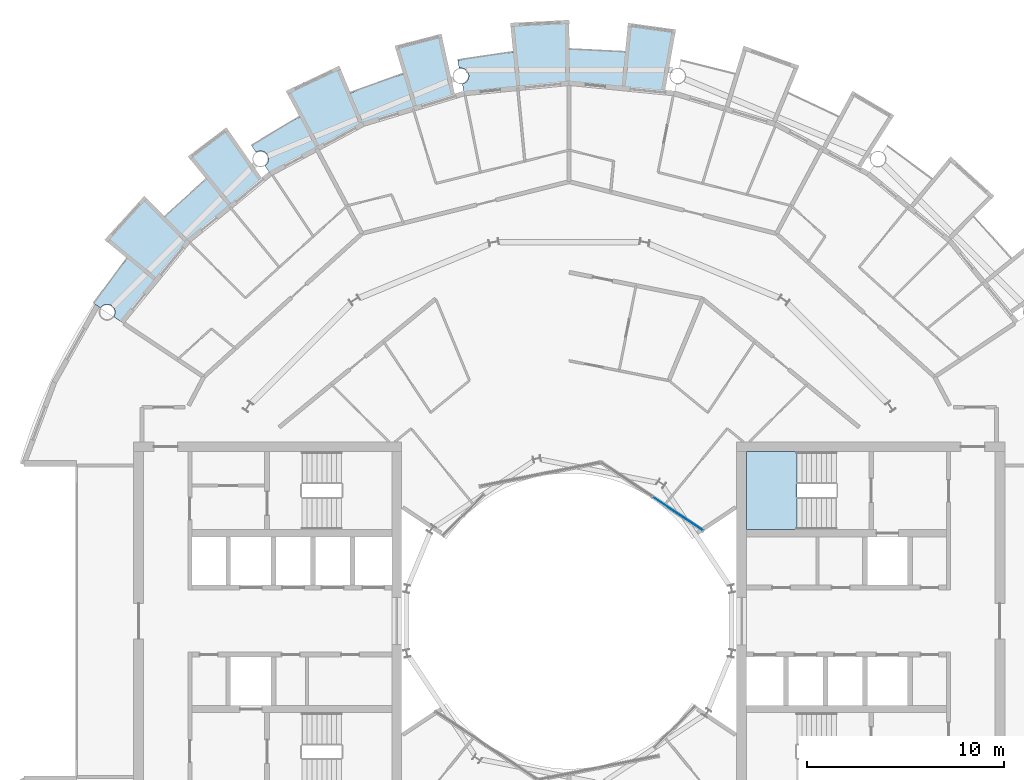
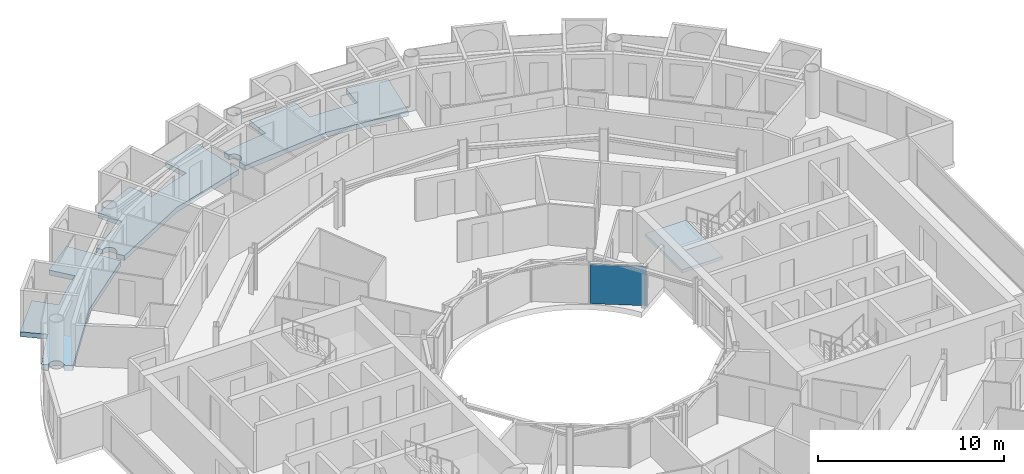
# One storey, part 12 of 27: 4 slabs, 1 plate, 2 elements without a shape of their own.
"""IFC4 building model written with IfcOpenShell, lengths in metres."""

from ifc_helpers import new_model, si_unit, direction, frame, origin, origin_2d, place, context, subcontext, project, spatial, polyline, rectangle, outline, extrude, material, layer, layer_set, type_object, element, aggregate, save


model = new_model("IFC4")

# Units and contexts
model_context = context("Model", 3, precision=1e-05, world=origin(), true_north=direction((0.0, 1.0)))
body_context = subcontext(model_context, "Body", "Model", "MODEL_VIEW")
ifc_project = project(units=[si_unit("LENGTHUNIT", "METRE"), si_unit("AREAUNIT", "SQUARE_METRE"), si_unit("VOLUMEUNIT", "CUBIC_METRE"), si_unit("PLANEANGLEUNIT", "RADIAN"), si_unit("MASSUNIT", "GRAM", prefix="KILO")], contexts=[model_context])

# Site, building, storey
site_placement = place(None, origin())
site = spatial("IfcSite", under=ifc_project, at=site_placement, CompositionType="ELEMENT")
building_placement = place(site_placement, origin())
building = spatial("IfcBuilding", under=site, at=building_placement, Name="Maasbend Ring Residences", CompositionType="ELEMENT")
storey_placement = place(building_placement, frame((0.0, 0.0, 164.64990234375)))
storey = spatial("IfcBuildingStorey", under=building, at=storey_placement, Name="L47", CompositionType="ELEMENT", Elevation=164.64990234375)

# Stair, slab
ifc_material_1 = material(Name="Concrete C40/50", Category="concrete")
stair_type = type_object("IfcStairType", Name="CORE STAIR 18 RISERS", PredefinedType="HALF_TURN_STAIR", material=ifc_material_1)
stair_placement = place(storey_placement, origin())
stair = element("IfcStair", 1, at=stair_placement, inside=storey, type_object=stair_type, Name="L47 Exit stair ST-E1", PredefinedType="HALF_TURN_STAIR")
ifc_material_2 = material(Name="Concrete C40/50", Category="concrete")
ifc_layer_1 = layer(ifc_material_2, 0.199951171875)
ifc_layer_set_1 = layer_set([ifc_layer_1], Name="Concrete C40/50")
slab_type_1 = type_object("IfcSlabType", Name="CORE STAIR LANDING 200", PredefinedType="LANDING", material=ifc_layer_set_1)
slab_1_placement = place(storey_placement, frame((0.0, 0.0, 1.3251953125)))
slab_1 = element("IfcSlab", 2, at=slab_1_placement, type_object=slab_type_1, Name="ST-E1 landing 1", PredefinedType="LANDING", context=body_context, shape_type="SweptSolid", body=[
    extrude(outline(polyline([(11.550048828125, 8.60009765625), (9.0, 8.60009765625), (9.0, 4.64990234375), (11.550048828125, 4.64990234375), (11.550048828125, 8.60009765625)])), origin(), (0.0, 0.0, 1.0), 0.199951171875),
])
aggregate(stair, [slab_1])

# Curtain wall, plate
ifc_material_3 = material(Name="Aluminium and clear glass", Category="aluminium")
ifc_layer_2 = layer(ifc_material_3, 0.179931640625)
ifc_layer_set_2 = layer_set([ifc_layer_2], Name="CW-W")
curtain_wall_type = type_object("IfcCurtainWallType", Name="CW-W", PredefinedType="NOTDEFINED", material=ifc_layer_set_2)
curtain_wall_placement = place(storey_placement, origin())
curtain_wall = element("IfcCurtainWall", 3, at=curtain_wall_placement, inside=storey, type_object=curtain_wall_type, Name="Well curtain wall N1", PredefinedType="NOTDEFINED")
ifc_material_4 = material(Name="Glass clear laminated", Category="glass")
ifc_layer_3 = layer(ifc_material_4, 0.031982421875)
ifc_layer_set_3 = layer_set([ifc_layer_3], Name="CWP-W")
plate_type = type_object("IfcPlateType", Name="CWP-W", PredefinedType="CURTAIN_PANEL", material=ifc_layer_set_3)
plate_placement = place(storey_placement, frame((5.51123046875, 5.44580078125, 0.0), z_axis=(0.0, 0.0, 1.0), x_axis=(-0.831469612303, 0.55557023302, 0.0)))
plate = element("IfcPlate", 4, at=plate_placement, type_object=plate_type, Name="Glass panel well face", PredefinedType="CURTAIN_PANEL", context=body_context, shape_type="SweptSolid", body=[
    extrude(rectangle(XDim=3.053955078125, YDim=0.031982421875, at=origin_2d()), origin(), (0.0, 0.0, 1.0), 2.580078125),
])
aggregate(curtain_wall, [plate])

# Slabs
ifc_material_5 = material(Name="Concrete C40/50", Category="concrete")
ifc_layer_4 = layer(ifc_material_5, 0.199951171875)
ifc_layer_set_4 = layer_set([ifc_layer_4], Name="Concrete C40/50")
slab_type_2 = type_object("IfcSlabType", Name="SL-LOGGIA", PredefinedType="FLOOR", material=ifc_layer_set_4)
slab_2_placement = place(storey_placement, frame((0.0, 0.0, -0.349853515625)))
element("IfcSlab", 5, at=slab_2_placement, inside=storey, type_object=slab_type_2, Name="Loggia floor 1", PredefinedType="FLOOR", context=body_context, shape_type="SweptSolid", body=[
    extrude(outline(polyline([(-14.5, 25.114990234375), (-13.6708984375, 25.574951171875), (-13.6708984375, 25.575927734375), (-13.6708984375, 25.575927734375), (-13.6708984375, 25.575927734375), (-13.6708984375, 25.575927734375), (-13.6708984375, 25.575927734375), (-13.6708984375, 25.575927734375), (-13.6708984375, 25.575927734375), (-13.6708984375, 25.575927734375), (-13.6708984375, 25.575927734375), (-13.6708984375, 25.575927734375), (-13.6708984375, 25.575927734375), (-13.6708984375, 25.575927734375), (-13.6708984375, 25.575927734375), (-13.6708984375, 25.575927734375), (-13.6708984375, 25.575927734375), (-13.6708984375, 25.575927734375), (-14.3779296875, 26.89892578125), (-14.3779296875, 26.89892578125), (-14.3779296875, 26.89892578125), (-11.672119140625, 28.177978515625), (-11.672119140625, 28.177978515625), (-11.672119140625, 28.177978515625), (-11.097900390625, 26.79296875), (-11.097900390625, 26.79296875), (-11.097900390625, 26.79296875), (-11.097900390625, 26.79296875), (-11.097900390625, 26.79296875), (-11.097900390625, 26.79296875), (-11.097900390625, 26.79296875), (-11.097900390625, 26.79296875), (-11.097900390625, 26.79296875), (-11.097900390625, 26.79296875), (-11.097900390625, 26.79296875), (-11.097900390625, 26.79296875), (-11.097900390625, 26.79296875), (-11.097900390625, 26.79296875), (-11.096923828125, 26.79296875), (-11.096923828125, 26.79296875), (-11.096923828125, 26.79296875), (-10.215087890625, 27.14111328125), (-10.215087890625, 27.14111328125), (-9.322021484375, 27.4609375), (-9.322021484375, 27.4609375), (-8.4189453125, 27.7509765625), (-8.4189453125, 27.7509765625), (-8.4189453125, 27.7509765625), (-8.4189453125, 27.7509765625), (-8.4189453125, 27.7509765625), (-8.4189453125, 27.7509765625), (-8.41796875, 27.7509765625), (-8.41796875, 27.7509765625), (-8.41796875, 27.7509765625), (-8.41796875, 27.7509765625), (-8.41796875, 27.7509765625), (-8.41796875, 27.751953125), (-8.41796875, 27.751953125), (-8.41796875, 27.751953125), (-8.41796875, 27.751953125), (-8.41796875, 27.751953125), (-8.41796875, 27.751953125), (-8.85400390625, 29.18701171875), (-8.85400390625, 29.18701171875), (-8.85400390625, 29.18701171875), (-6.487060546875, 29.802001953125), (-6.487060546875, 29.802001953125), (-6.487060546875, 29.802001953125), (-5.797119140625, 26.633056640625), (-5.797119140625, 26.633056640625), (-5.797119140625, 26.633056640625), (-7.886962890625, 25.9990234375), (-10.447021484375, 25.221923828125), (-10.447021484375, 25.221923828125), (-10.447021484375, 25.221923828125), (-12.806884765625, 23.9609375), (-15.1669921875, 22.698974609375), (-15.1669921875, 22.698974609375), (-15.1669921875, 22.698974609375), (-15.44091796875, 23.10888671875), (-15.43310546875, 23.114990234375), (-15.425048828125, 23.12109375), (-15.4169921875, 23.126953125), (-15.408935546875, 23.133056640625), (-15.402099609375, 23.139892578125), (-15.39404296875, 23.14599609375), (-15.386962890625, 23.153076171875), (-15.3798828125, 23.159912109375), (-15.373046875, 23.1669921875), (-15.365966796875, 23.174072265625), (-15.35888671875, 23.181884765625), (-15.35302734375, 23.18994140625), (-15.346923828125, 23.197021484375), (-15.341064453125, 23.205078125), (-15.3349609375, 23.212890625), (-15.3291015625, 23.221923828125), (-15.323974609375, 23.22998046875), (-15.318115234375, 23.238037109375), (-15.31298828125, 23.2470703125), (-15.30908203125, 23.256103515625), (-15.303955078125, 23.264892578125), (-15.300048828125, 23.27392578125), (-15.294921875, 23.282958984375), (-15.2919921875, 23.2919921875), (-15.2880859375, 23.301025390625), (-15.283935546875, 23.31005859375), (-15.281005859375, 23.320068359375), (-15.278076171875, 23.3291015625), (-15.27490234375, 23.339111328125), (-15.27294921875, 23.34912109375), (-15.27001953125, 23.35791015625), (-15.26806640625, 23.367919921875), (-15.26708984375, 23.3779296875), (-15.264892578125, 23.387939453125), (-15.263916015625, 23.39794921875), (-15.262939453125, 23.407958984375), (-15.261962890625, 23.4169921875), (-15.260986328125, 23.427001953125), (-15.260986328125, 23.43701171875), (-15.260986328125, 23.447021484375), (-15.260986328125, 23.45703125), (-15.260986328125, 23.467041015625), (-15.261962890625, 23.47705078125), (-15.262939453125, 23.487060546875), (-15.263916015625, 23.4970703125), (-15.264892578125, 23.507080078125), (-15.26708984375, 23.51708984375), (-15.26806640625, 23.527099609375), (-15.27001953125, 23.535888671875), (-15.27294921875, 23.5458984375), (-15.27490234375, 23.555908203125), (-15.278076171875, 23.56494140625), (-15.281005859375, 23.574951171875), (-15.283935546875, 23.583984375), (-15.2880859375, 23.593994140625), (-15.2919921875, 23.60302734375), (-15.294921875, 23.612060546875), (-15.300048828125, 23.62109375), (-15.303955078125, 23.6298828125), (-15.30908203125, 23.638916015625), (-15.31298828125, 23.64794921875), (-15.318115234375, 23.656005859375), (-15.323974609375, 23.6650390625), (-15.3291015625, 23.673095703125), (-15.3349609375, 23.680908203125), (-15.341064453125, 23.68994140625), (-15.346923828125, 23.697021484375), (-15.35302734375, 23.705078125), (-15.35888671875, 23.712890625), (-15.365966796875, 23.719970703125), (-15.373046875, 23.72802734375), (-15.3798828125, 23.735107421875), (-15.386962890625, 23.741943359375), (-15.39404296875, 23.7490234375), (-15.402099609375, 23.7548828125), (-15.408935546875, 23.761962890625), (-15.4169921875, 23.76806640625), (-15.425048828125, 23.77392578125), (-15.43310546875, 23.780029296875), (-15.44091796875, 23.784912109375), (-15.449951171875, 23.791015625), (-15.4580078125, 23.7958984375), (-15.467041015625, 23.801025390625), (-15.47509765625, 23.805908203125), (-15.48388671875, 23.81005859375), (-15.492919921875, 23.81494140625), (-15.501953125, 23.819091796875), (-15.511962890625, 23.822998046875), (-15.52099609375, 23.826904296875), (-15.530029296875, 23.830078125), (-15.5400390625, 23.8330078125), (-15.549072265625, 23.8359375), (-15.55908203125, 23.839111328125), (-15.568115234375, 23.842041015625), (-15.577880859375, 23.843994140625), (-15.587890625, 23.845947265625), (-15.597900390625, 23.847900390625), (-15.60693359375, 23.85009765625), (-15.616943359375, 23.85107421875), (-15.626953125, 23.85205078125), (-15.636962890625, 23.85302734375), (-15.64697265625, 23.85302734375), (-15.656982421875, 23.85400390625), (-15.6669921875, 23.85400390625), (-15.677001953125, 23.85400390625), (-15.68701171875, 23.85302734375), (-15.697021484375, 23.85302734375), (-15.70703125, 23.85205078125), (-15.717041015625, 23.85107421875), (-15.72705078125, 23.85009765625), (-15.737060546875, 23.847900390625), (-15.74609375, 23.845947265625), (-15.756103515625, 23.843994140625), (-15.76611328125, 23.842041015625), (-15.77587890625, 23.839111328125), (-15.784912109375, 23.8359375), (-15.794921875, 23.8330078125), (-15.803955078125, 23.830078125), (-15.81298828125, 23.826904296875), (-15.822998046875, 23.822998046875), (-15.83203125, 23.819091796875), (-15.841064453125, 23.81494140625), (-15.85009765625, 23.81005859375), (-15.85888671875, 23.805908203125), (-15.866943359375, 23.801025390625), (-15.8759765625, 23.7958984375), (-15.885009765625, 23.791015625), (-15.89306640625, 23.784912109375), (-16.112060546875, 24.113037109375), (-16.112060546875, 24.113037109375), (-16.112060546875, 24.113037109375), (-15.31396484375, 24.626953125), (-15.31396484375, 24.626953125), (-14.5, 25.114990234375), (-14.5, 25.114990234375)])), origin(), (0.0, 0.0, 1.0), 0.320068359375),
])
slab_3_placement = place(storey_placement, frame((0.0, 0.0, -0.349853515625)))
element("IfcSlab", 6, at=slab_3_placement, inside=storey, type_object=slab_type_2, Name="Loggia floor 3", PredefinedType="FLOOR", context=body_context, shape_type="SweptSolid", body=[
    extrude(outline(polyline([(-3.784912109375, 28.751953125), (-2.843017578125, 28.860107421875), (-2.843017578125, 28.860107421875), (-2.843017578125, 28.860107421875), (-2.843017578125, 28.860107421875), (-2.843017578125, 28.860107421875), (-2.843017578125, 28.860107421875), (-2.843017578125, 28.860107421875), (-2.843017578125, 28.860107421875), (-2.843017578125, 28.860107421875), (-2.843017578125, 28.861083984375), (-2.843017578125, 28.861083984375), (-2.843017578125, 28.861083984375), (-2.843017578125, 28.861083984375), (-2.843017578125, 28.861083984375), (-2.843017578125, 28.861083984375), (-2.843017578125, 28.861083984375), (-2.843017578125, 28.861083984375), (-2.989990234375, 30.35302734375), (-2.989990234375, 30.35302734375), (-2.989990234375, 30.35302734375), (0.0, 30.5), (0.0, 30.5), (0.0, 30.5), (0.0, 29.0), (0.0, 29.0), (0.0, 29.0), (0.0, 29.0), (0.0, 29.0), (0.0, 29.0), (0.0, 29.0), (0.0, 29.0), (0.0, 29.0), (0.0, 29.0), (0.0, 29.0), (0.0, 29.0), (0.0, 29.0), (0.0, 29.0), (0.0, 29.0), (0.0, 29.0), (0.0, 29.0), (0.948974609375, 28.98388671875), (0.948974609375, 28.98388671875), (1.89697265625, 28.93798828125), (1.89697265625, 28.93798828125), (2.842041015625, 28.860107421875), (2.842041015625, 28.860107421875), (2.842041015625, 28.860107421875), (2.842041015625, 28.860107421875), (2.842041015625, 28.860107421875), (2.842041015625, 28.860107421875), (2.842041015625, 28.860107421875), (2.842041015625, 28.860107421875), (2.842041015625, 28.861083984375), (2.842041015625, 28.861083984375), (2.842041015625, 28.861083984375), (2.842041015625, 28.861083984375), (2.842041015625, 28.861083984375), (2.843017578125, 28.861083984375), (2.843017578125, 28.861083984375), (2.843017578125, 28.861083984375), (2.843017578125, 28.861083984375), (2.989990234375, 30.35302734375), (2.989990234375, 30.35302734375), (2.989990234375, 30.35302734375), (5.412109375, 30.01611328125), (5.412109375, 30.01611328125), (5.412109375, 30.01611328125), (4.8359375, 26.823974609375), (4.8359375, 26.823974609375), (4.8359375, 26.823974609375), (2.6630859375, 27.0380859375), (0.0, 27.300048828125), (0.0, 27.300048828125), (0.0, 27.300048828125), (-2.6630859375, 27.0380859375), (-5.325927734375, 26.77490234375), (-5.325927734375, 26.77490234375), (-5.325927734375, 26.77490234375), (-5.422119140625, 27.259033203125), (-5.422119140625, 27.259033203125), (-5.412109375, 27.260986328125), (-5.403076171875, 27.263916015625), (-5.39306640625, 27.26611328125), (-5.383056640625, 27.26904296875), (-5.3740234375, 27.27197265625), (-5.364990234375, 27.27490234375), (-5.35498046875, 27.279052734375), (-5.345947265625, 27.282958984375), (-5.3369140625, 27.285888671875), (-5.327880859375, 27.291015625), (-5.319091796875, 27.294921875), (-5.31005859375, 27.300048828125), (-5.301025390625, 27.303955078125), (-5.29296875, 27.30908203125), (-5.283935546875, 27.31494140625), (-5.27587890625, 27.320068359375), (-5.26708984375, 27.325927734375), (-5.259033203125, 27.33203125), (-5.2509765625, 27.337890625), (-5.243896484375, 27.343994140625), (-5.236083984375, 27.35009765625), (-5.22900390625, 27.35693359375), (-5.220947265625, 27.364013671875), (-5.214111328125, 27.37109375), (-5.20703125, 27.3779296875), (-5.199951171875, 27.385009765625), (-5.194091796875, 27.39306640625), (-5.18701171875, 27.39990234375), (-5.180908203125, 27.407958984375), (-5.175048828125, 27.416015625), (-5.1689453125, 27.424072265625), (-5.1640625, 27.431884765625), (-5.157958984375, 27.44091796875), (-5.153076171875, 27.448974609375), (-5.14794921875, 27.4580078125), (-5.14306640625, 27.466064453125), (-5.137939453125, 27.47509765625), (-5.134033203125, 27.48388671875), (-5.1298828125, 27.492919921875), (-5.1259765625, 27.5029296875), (-5.1220703125, 27.511962890625), (-5.118896484375, 27.52099609375), (-5.115966796875, 27.531005859375), (-5.113037109375, 27.5400390625), (-5.110107421875, 27.550048828125), (-5.10693359375, 27.55908203125), (-5.10498046875, 27.569091796875), (-5.10302734375, 27.5791015625), (-5.10107421875, 27.589111328125), (-5.09912109375, 27.597900390625), (-5.097900390625, 27.60791015625), (-5.096923828125, 27.617919921875), (-5.095947265625, 27.6279296875), (-5.094970703125, 27.637939453125), (-5.094970703125, 27.64794921875), (-5.094970703125, 27.657958984375), (-5.094970703125, 27.66796875), (-5.094970703125, 27.677978515625), (-5.095947265625, 27.68798828125), (-5.096923828125, 27.697998046875), (-5.097900390625, 27.7080078125), (-5.09912109375, 27.718017578125), (-5.10107421875, 27.72802734375), (-5.10302734375, 27.737060546875), (-5.10498046875, 27.7470703125), (-5.10693359375, 27.757080078125), (-5.110107421875, 27.76708984375), (-5.113037109375, 27.77587890625), (-5.115966796875, 27.785888671875), (-5.118896484375, 27.794921875), (-5.1220703125, 27.803955078125), (-5.1259765625, 27.81396484375), (-5.1298828125, 27.822998046875), (-5.134033203125, 27.83203125), (-5.137939453125, 27.841064453125), (-5.14306640625, 27.85009765625), (-5.14794921875, 27.85791015625), (-5.153076171875, 27.866943359375), (-5.157958984375, 27.8759765625), (-5.1640625, 27.884033203125), (-5.1689453125, 27.89208984375), (-5.175048828125, 27.89990234375), (-5.180908203125, 27.907958984375), (-5.18701171875, 27.916015625), (-5.194091796875, 27.924072265625), (-5.199951171875, 27.930908203125), (-5.20703125, 27.93798828125), (-5.214111328125, 27.946044921875), (-5.220947265625, 27.952880859375), (-5.22900390625, 27.958984375), (-5.236083984375, 27.966064453125), (-5.243896484375, 27.971923828125), (-5.2509765625, 27.97900390625), (-5.259033203125, 27.985107421875), (-5.26708984375, 27.989990234375), (-5.27587890625, 27.99609375), (-5.283935546875, 28.001953125), (-5.29296875, 28.007080078125), (-5.301025390625, 28.011962890625), (-5.31005859375, 28.01708984375), (-5.319091796875, 28.02099609375), (-5.327880859375, 28.02587890625), (-5.3369140625, 28.030029296875), (-5.345947265625, 28.033935546875), (-5.35498046875, 28.037109375), (-5.364990234375, 28.041015625), (-5.3740234375, 28.0439453125), (-5.383056640625, 28.047119140625), (-5.39306640625, 28.050048828125), (-5.403076171875, 28.052001953125), (-5.412109375, 28.054931640625), (-5.422119140625, 28.056884765625), (-5.431884765625, 28.05908203125), (-5.44189453125, 28.06005859375), (-5.451904296875, 28.06201171875), (-5.4619140625, 28.06298828125), (-5.471923828125, 28.06298828125), (-5.48193359375, 28.06396484375), (-5.491943359375, 28.06396484375), (-5.501953125, 28.06494140625), (-5.510986328125, 28.06396484375), (-5.52099609375, 28.06396484375), (-5.531005859375, 28.06298828125), (-5.541015625, 28.06298828125), (-5.551025390625, 28.06201171875), (-5.56103515625, 28.06005859375), (-5.571044921875, 28.05908203125), (-5.5810546875, 28.056884765625), (-5.5810546875, 28.056884765625), (-5.657958984375, 28.443115234375), (-5.657958984375, 28.443115234375), (-5.657958984375, 28.443115234375), (-4.72412109375, 28.613037109375), (-4.72412109375, 28.613037109375), (-3.784912109375, 28.751953125), (-3.784912109375, 28.751953125)])), origin(), (0.0, 0.0, 1.0), 0.320068359375),
])
slab_4_placement = place(storey_placement, frame((0.0, 0.0, -0.349853515625)))
element("IfcSlab", 7, at=slab_4_placement, inside=storey, type_object=slab_type_2, Name="Loggia floor 4", PredefinedType="FLOOR", context=body_context, shape_type="SweptSolid", body=[
    extrude(outline(polyline([(-23.007080078125, 17.654052734375), (-22.41796875, 18.39697265625), (-22.41796875, 18.39697265625), (-22.41796875, 18.39697265625), (-22.41796875, 18.39697265625), (-22.41796875, 18.39697265625), (-22.41796875, 18.39697265625), (-22.41796875, 18.39697265625), (-22.41796875, 18.39697265625), (-22.41796875, 18.39697265625), (-22.41796875, 18.39697265625), (-22.41796875, 18.39697265625), (-22.41796875, 18.39794921875), (-22.41796875, 18.39794921875), (-22.41796875, 18.39794921875), (-22.41796875, 18.39794921875), (-22.41796875, 18.39794921875), (-22.41796875, 18.39794921875), (-23.576904296875, 19.34912109375), (-23.576904296875, 19.34912109375), (-23.576904296875, 19.34912109375), (-21.56689453125, 21.56689453125), (-21.56689453125, 21.56689453125), (-21.56689453125, 21.56689453125), (-20.506103515625, 20.506103515625), (-20.506103515625, 20.506103515625), (-20.506103515625, 20.506103515625), (-20.506103515625, 20.506103515625), (-20.506103515625, 20.506103515625), (-20.506103515625, 20.506103515625), (-20.506103515625, 20.506103515625), (-20.506103515625, 20.506103515625), (-20.506103515625, 20.506103515625), (-20.506103515625, 20.506103515625), (-20.506103515625, 20.506103515625), (-20.506103515625, 20.506103515625), (-20.506103515625, 20.506103515625), (-20.506103515625, 20.506103515625), (-20.506103515625, 20.506103515625), (-20.506103515625, 20.506103515625), (-20.506103515625, 20.506103515625), (-19.823974609375, 21.166015625), (-19.823974609375, 21.166015625), (-19.12109375, 21.802978515625), (-19.12109375, 21.802978515625), (-18.39794921875, 22.4169921875), (-18.39794921875, 22.4169921875), (-18.39794921875, 22.4169921875), (-18.39794921875, 22.4169921875), (-18.39794921875, 22.4169921875), (-18.39794921875, 22.4169921875), (-18.39794921875, 22.4169921875), (-18.39794921875, 22.4169921875), (-18.39794921875, 22.4169921875), (-18.39794921875, 22.4169921875), (-18.39794921875, 22.4169921875), (-18.39794921875, 22.4169921875), (-18.39794921875, 22.41796875), (-18.39794921875, 22.41796875), (-18.39794921875, 22.41796875), (-18.39794921875, 22.41796875), (-18.39794921875, 22.41796875), (-19.34912109375, 23.576904296875), (-19.34912109375, 23.576904296875), (-19.34912109375, 23.576904296875), (-17.39794921875, 25.051025390625), (-17.39794921875, 25.051025390625), (-17.39794921875, 25.051025390625), (-15.547119140625, 22.386962890625), (-15.547119140625, 22.386962890625), (-15.547119140625, 22.386962890625), (-17.236083984375, 21.001953125), (-19.303955078125, 19.303955078125), (-19.303955078125, 19.303955078125), (-19.303955078125, 19.303955078125), (-21.001953125, 17.236083984375), (-22.698974609375, 15.1669921875), (-22.698974609375, 15.1669921875), (-22.698974609375, 15.1669921875), (-23.10888671875, 15.44091796875), (-23.10888671875, 15.44091796875), (-23.10400390625, 15.449951171875), (-23.09912109375, 15.4580078125), (-23.093994140625, 15.467041015625), (-23.089111328125, 15.47509765625), (-23.083984375, 15.48388671875), (-23.080078125, 15.492919921875), (-23.075927734375, 15.501953125), (-23.072021484375, 15.511962890625), (-23.068115234375, 15.52099609375), (-23.06494140625, 15.530029296875), (-23.06103515625, 15.5400390625), (-23.05810546875, 15.549072265625), (-23.055908203125, 15.55908203125), (-23.052978515625, 15.568115234375), (-23.051025390625, 15.577880859375), (-23.049072265625, 15.587890625), (-23.047119140625, 15.597900390625), (-23.044921875, 15.60693359375), (-23.0439453125, 15.616943359375), (-23.04296875, 15.626953125), (-23.0419921875, 15.636962890625), (-23.041015625, 15.64697265625), (-23.041015625, 15.656982421875), (-23.041015625, 15.6669921875), (-23.041015625, 15.677001953125), (-23.041015625, 15.68701171875), (-23.0419921875, 15.697021484375), (-23.04296875, 15.70703125), (-23.0439453125, 15.717041015625), (-23.044921875, 15.72705078125), (-23.047119140625, 15.737060546875), (-23.049072265625, 15.74609375), (-23.051025390625, 15.756103515625), (-23.052978515625, 15.76611328125), (-23.055908203125, 15.77587890625), (-23.05810546875, 15.784912109375), (-23.06103515625, 15.794921875), (-23.06494140625, 15.803955078125), (-23.068115234375, 15.81298828125), (-23.072021484375, 15.822998046875), (-23.075927734375, 15.83203125), (-23.080078125, 15.841064453125), (-23.083984375, 15.85009765625), (-23.089111328125, 15.85888671875), (-23.093994140625, 15.866943359375), (-23.09912109375, 15.8759765625), (-23.10400390625, 15.885009765625), (-23.10888671875, 15.89306640625), (-23.114990234375, 15.90087890625), (-23.12109375, 15.908935546875), (-23.126953125, 15.9169921875), (-23.133056640625, 15.925048828125), (-23.139892578125, 15.93310546875), (-23.14599609375, 15.93994140625), (-23.153076171875, 15.947021484375), (-23.159912109375, 15.955078125), (-23.1669921875, 15.9619140625), (-23.174072265625, 15.968017578125), (-23.181884765625, 15.97509765625), (-23.18994140625, 15.98095703125), (-23.197021484375, 15.988037109375), (-23.205078125, 15.993896484375), (-23.212890625, 15.9990234375), (-23.221923828125, 16.0048828125), (-23.22998046875, 16.010986328125), (-23.238037109375, 16.01611328125), (-23.2470703125, 16.02099609375), (-23.256103515625, 16.02587890625), (-23.264892578125, 16.030029296875), (-23.27392578125, 16.034912109375), (-23.282958984375, 16.0390625), (-23.2919921875, 16.04296875), (-23.301025390625, 16.0458984375), (-23.31005859375, 16.050048828125), (-23.320068359375, 16.052978515625), (-23.3291015625, 16.055908203125), (-23.339111328125, 16.05908203125), (-23.34912109375, 16.06103515625), (-23.35791015625, 16.06396484375), (-23.367919921875, 16.06591796875), (-23.3779296875, 16.068115234375), (-23.387939453125, 16.069091796875), (-23.39794921875, 16.071044921875), (-23.407958984375, 16.072021484375), (-23.4169921875, 16.072021484375), (-23.427001953125, 16.072998046875), (-23.43701171875, 16.072998046875), (-23.447021484375, 16.073974609375), (-23.45703125, 16.072998046875), (-23.467041015625, 16.072998046875), (-23.47705078125, 16.072021484375), (-23.487060546875, 16.072021484375), (-23.4970703125, 16.071044921875), (-23.507080078125, 16.069091796875), (-23.51708984375, 16.068115234375), (-23.527099609375, 16.06591796875), (-23.535888671875, 16.06396484375), (-23.5458984375, 16.06103515625), (-23.555908203125, 16.05908203125), (-23.56494140625, 16.055908203125), (-23.574951171875, 16.052978515625), (-23.583984375, 16.050048828125), (-23.593994140625, 16.0458984375), (-23.60302734375, 16.04296875), (-23.612060546875, 16.0390625), (-23.62109375, 16.034912109375), (-23.6298828125, 16.030029296875), (-23.638916015625, 16.02587890625), (-23.64794921875, 16.02099609375), (-23.656005859375, 16.01611328125), (-23.6650390625, 16.010986328125), (-23.673095703125, 16.0048828125), (-23.680908203125, 15.9990234375), (-23.68994140625, 15.993896484375), (-23.697021484375, 15.988037109375), (-23.705078125, 15.98095703125), (-23.712890625, 15.97509765625), (-23.719970703125, 15.968017578125), (-23.72802734375, 15.9619140625), (-23.735107421875, 15.955078125), (-23.741943359375, 15.947021484375), (-23.7490234375, 15.93994140625), (-23.7548828125, 15.93310546875), (-23.761962890625, 15.925048828125), (-23.76806640625, 15.9169921875), (-23.77392578125, 15.908935546875), (-23.780029296875, 15.90087890625), (-23.784912109375, 15.89306640625), (-23.784912109375, 15.89306640625), (-24.113037109375, 16.112060546875), (-24.113037109375, 16.112060546875), (-24.113037109375, 16.112060546875), (-23.572998046875, 16.89208984375), (-23.572998046875, 16.89208984375), (-23.007080078125, 17.654052734375), (-23.007080078125, 17.654052734375)])), origin(), (0.0, 0.0, 1.0), 0.320068359375),
])

save(model, "model.ifc")
